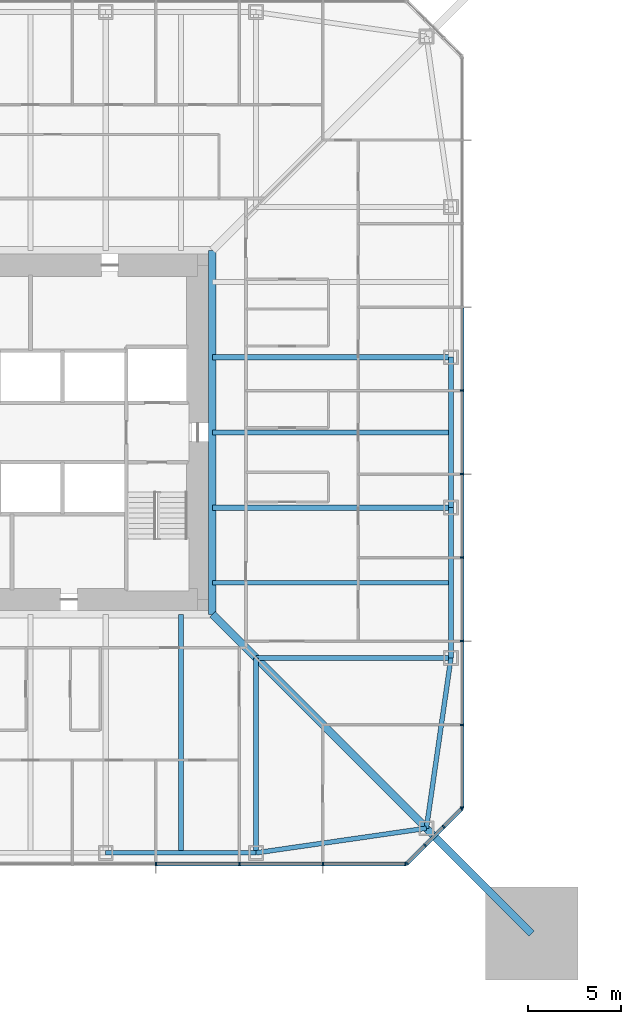
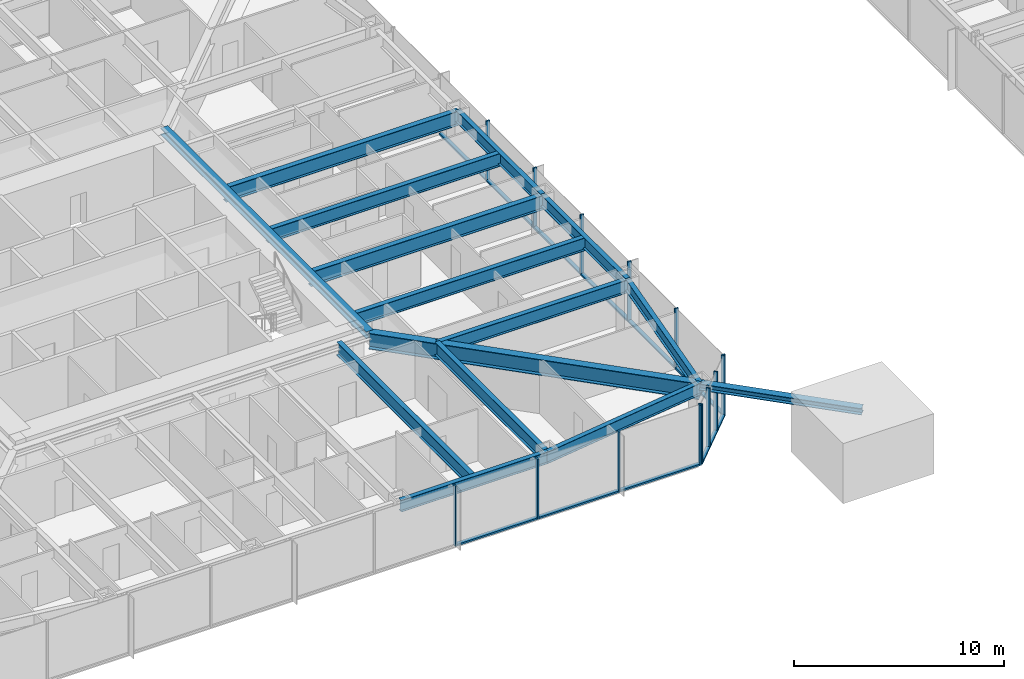
# One storey, part 5 of 26: 27 members, 14 beams, 3 elements without a shape of their own.
"""IFC4 building model written with IfcOpenShell, lengths in metres."""

import ifcopenshell
import ifcopenshell.guid

model = None  # the IFC model being written
_history = None  # IfcOwnerHistory: only IFC2X3 demands one
_inside = {}  # id of a spatial element -> (the spatial element, [elements in it])
_under = {}  # id of a project, library or spatial element -> (it, [spatial elements below it])
_declared = {}  # id of a project -> (the project, [libraries it declares])
_typed = {}  # id of a type object -> (the type object, [elements of that type])
_made_of = {}  # id of a material, layer set ... -> (it, [elements and type objects made of it])


def new_model(schema):
    """Start an empty IFC model of exactly this schema.

    Asked for "IFC4X3", IfcOpenShell would pick the latest addendum, in which some entities
    have other attributes; the version numbers below select the first issue.
    IFC2X3 requires an IfcOwnerHistory on every rooted entity: one is made here for all.
    """
    global model, _history
    if schema == "IFC4X3":
        model = ifcopenshell.file(schema_version=(4, 3, 0, 0))
    else:
        model = ifcopenshell.file(schema=schema)
    _inside.clear()
    _under.clear()
    _declared.clear()
    _typed.clear()
    _made_of.clear()
    _history = None
    if model.schema == "IFC2X3":
        org = make("IfcOrganization", Name="unknown")
        user = make(
            "IfcPersonAndOrganization",
            ThePerson=make("IfcPerson", FamilyName="unknown"),
            TheOrganization=org,
        )
        app = make(
            "IfcApplication",
            ApplicationDeveloper=org,
            Version="unknown",
            ApplicationFullName="unknown",
            ApplicationIdentifier="unknown",
        )
        _history = make(
            "IfcOwnerHistory",
            OwningUser=user,
            OwningApplication=app,
            ChangeAction="ADDED",
            CreationDate=0,
        )
    return model


def make(cls, **values):
    """One entity of the class cls with the attributes given. An attribute that is None is left unset."""
    return model.create_entity(
        cls, **{name: value for name, value in values.items() if value is not None}
    )


def rooted(cls, **values):
    """An entity with a GlobalId (a new one), such as an element, a storey or a relation."""
    return make(cls, GlobalId=ifcopenshell.guid.new(), OwnerHistory=_history, **values)


def si_unit(unit_type, name, prefix=None):
    """IfcSIUnit, for example si_unit("LENGTHUNIT", "METRE", prefix="MILLI")."""
    return make("IfcSIUnit", UnitType=unit_type, Prefix=prefix, Name=name)


def assignment(units):
    """IfcUnitAssignment: the units of a project."""
    return None if units is None else make("IfcUnitAssignment", Units=units)


def point(xyz):
    """IfcCartesianPoint."""
    return None if xyz is None else make("IfcCartesianPoint", Coordinates=xyz)


def direction(xyz):
    """IfcDirection."""
    return None if xyz is None else make("IfcDirection", DirectionRatios=xyz)


def frame(location, z_axis=None, x_axis=None):
    """IfcAxis2Placement3D, a coordinate frame: its origin and axes. An axis left out is left unset."""
    return make(
        "IfcAxis2Placement3D",
        Location=point(location),
        Axis=direction(z_axis),
        RefDirection=direction(x_axis),
    )


def frame_2d(location, x_axis=None):
    """IfcAxis2Placement2D, a coordinate frame in the plane: its origin and x axis."""
    return make(
        "IfcAxis2Placement2D", Location=point(location), RefDirection=direction(x_axis)
    )


def origin():
    """The frame at (0, 0, 0) with its axes left unset."""
    return frame((0.0, 0.0, 0.0))


def origin_2d():
    """The frame at (0, 0) in the plane with its x axis left unset."""
    return frame_2d((0.0, 0.0))


def place(relative_to, where):
    """IfcLocalPlacement: puts the frame where relative to a parent placement (None: the world)."""
    return make(
        "IfcLocalPlacement", PlacementRelTo=relative_to, RelativePlacement=where
    )


def context(
    kind, dimensions, precision=None, world=None, true_north=None, identifier=None
):
    """IfcGeometricRepresentationContext, for example the 3D "Model" context."""
    return make(
        "IfcGeometricRepresentationContext",
        ContextIdentifier=identifier,
        ContextType=kind,
        CoordinateSpaceDimension=dimensions,
        Precision=precision,
        WorldCoordinateSystem=world,
        TrueNorth=true_north,
    )


def subcontext(parent, identifier, kind, view, scale=None):
    """IfcGeometricRepresentationSubContext, for example "Body" below "Model"."""
    return make(
        "IfcGeometricRepresentationSubContext",
        ContextIdentifier=identifier,
        ContextType=kind,
        ParentContext=parent,
        TargetScale=scale,
        TargetView=view,
    )


def project(units=None, contexts=None):
    """IfcProject with its units and contexts."""
    return rooted(
        "IfcProject",
        Name="project",
        RepresentationContexts=contexts,
        UnitsInContext=assignment(units),
    )


def spatial(cls, under=None, at=None, **own):
    """A site, building, storey or space (cls), placed at a placement, below another one or the project."""
    s = rooted(cls, ObjectPlacement=at, **own)
    if under is not None:
        _under.setdefault(under.id(), (under, []))[1].append(s)
    return s


def profile(cls, at=None, kind="AREA", **sizes):
    """A parametric profile (cls). Its sizes go by their IFC names, for example OverallWidth=200.0."""
    return make(cls, ProfileType=kind, Position=at, **sizes)


def rectangle(**sizes):
    """IfcRectangleProfileDef."""
    return profile("IfcRectangleProfileDef", **sizes)


def i_section(**sizes):
    """IfcIShapeProfileDef."""
    return profile("IfcIShapeProfileDef", **sizes)


def extrude(swept, where, along, depth):
    """IfcExtrudedAreaSolid: the profile swept, set in the frame where, extruded along a direction by depth."""
    return make(
        "IfcExtrudedAreaSolid",
        SweptArea=swept,
        Position=where,
        ExtrudedDirection=direction(along),
        Depth=depth,
    )


def shape(context_of_items, identifier, shape_type, items):
    """IfcShapeRepresentation: the items that make up one representation, for example the "Body"."""
    return make(
        "IfcShapeRepresentation",
        ContextOfItems=context_of_items,
        RepresentationIdentifier=identifier,
        RepresentationType=shape_type,
        Items=items,
    )


def material(Name=None, Category=None):
    """IfcMaterial."""
    return make("IfcMaterial", Name=Name, Category=Category)


def material_profile(
    of_material, cross_section, Name=None, Category=None, Priority=None
):
    """IfcMaterialProfile: a cross section and its material."""
    return make(
        "IfcMaterialProfile",
        Name=Name,
        Material=of_material,
        Profile=cross_section,
        Priority=Priority,
        Category=Category,
    )


def profile_set(profiles, Name=None, composite=None):
    """IfcMaterialProfileSet."""
    return make(
        "IfcMaterialProfileSet",
        Name=Name,
        MaterialProfiles=profiles,
        CompositeProfile=composite,
    )


def made_of(thing, what):
    """Note that an element or type object is made of a material, layer set ...; save() writes the relation."""
    if what is not None:
        _made_of.setdefault(what.id(), (what, []))[1].append(thing)
    return thing


def type_object(cls, material=None, **own):
    """A type object (cls), such as IfcWallType, which elements share."""
    return made_of(rooted(cls, **own), material)


def element(
    cls,
    number,
    at=None,
    inside=None,
    cuts=None,
    type_object=None,
    material=None,
    context=None,
    identifier="Body",
    shape_type=None,
    held_by="IfcProductDefinitionShape",
    body=None,
    shapes=None,
    **own,
):
    """One element of the class cls, such as IfcWall. Its Tag is "e" and its number.

    at: its placement. inside: the storey or other place that contains it. cuts: it is an
    opening in that element (IfcRelVoidsElement). A single representation is given by context,
    identifier, shape_type and body (its items); several are given by shapes. held_by: the class
    of the entity that holds the representations. save() writes the other relations.
    """
    e = rooted(cls, Tag="e%d" % number, ObjectPlacement=at, **own)
    if body is not None:
        shapes = [shape(context, identifier, shape_type, body)]
    if shapes is not None:
        e.Representation = make(held_by, Representations=shapes)
    if inside is not None:
        _inside.setdefault(inside.id(), (inside, []))[1].append(e)
    if cuts is not None:
        rooted(
            "IfcRelVoidsElement", RelatingBuildingElement=cuts, RelatedOpeningElement=e
        )
    if type_object is not None:
        _typed.setdefault(type_object.id(), (type_object, []))[1].append(e)
    return made_of(e, material)


def aggregate(whole, parts):
    """IfcRelAggregates: a whole, such as a stair, and the parts it consists of."""
    return rooted("IfcRelAggregates", RelatingObject=whole, RelatedObjects=parts)


def save(model, path):
    """Write the relations noted so far, then the file.

    IfcRelAggregates (storeys below a building ...), IfcRelContainedInSpatialStructure (elements
    in a storey), IfcRelDefinesByType, IfcRelAssociatesMaterial and IfcRelDeclares: one each for
    every whole, place, type object, material and project.
    """
    for whole, parts in _under.values():
        aggregate(whole, parts)
    for where, things in _inside.values():
        rooted(
            "IfcRelContainedInSpatialStructure",
            RelatedElements=things,
            RelatingStructure=where,
        )
    for kind, things in _typed.values():
        rooted("IfcRelDefinesByType", RelatedObjects=things, RelatingType=kind)
    for what, things in _made_of.values():
        rooted("IfcRelAssociatesMaterial", RelatedObjects=things, RelatingMaterial=what)
    for by, libraries in _declared.values():
        rooted("IfcRelDeclares", RelatingContext=by, RelatedDefinitions=libraries)
    model.write(path)


model = new_model("IFC4")

# Units and contexts
model_context = context("Model", 3, precision=1e-05, world=origin(), true_north=direction((0.0, 1.0)))
body_context = subcontext(model_context, "Body", "Model", "MODEL_VIEW")
ifc_project = project(units=[si_unit("LENGTHUNIT", "METRE"), si_unit("AREAUNIT", "SQUARE_METRE"), si_unit("VOLUMEUNIT", "CUBIC_METRE"), si_unit("PLANEANGLEUNIT", "RADIAN"), si_unit("MASSUNIT", "GRAM", prefix="KILO")], contexts=[model_context])

# Site, building, storey
site_placement = place(None, origin())
site = spatial("IfcSite", under=ifc_project, at=site_placement, CompositionType="ELEMENT")
building_placement = place(site_placement, origin())
building = spatial("IfcBuilding", under=site, at=building_placement, Name="Iwan Alto Co-Living Towers", CompositionType="ELEMENT")
storey_placement = place(building_placement, frame((0.0, 0.0, 36.0)))
storey = spatial("IfcBuildingStorey", under=building, at=storey_placement, Name="L09", CompositionType="ELEMENT", Elevation=36.0)

# Curtain wall, members
ifc_material_1 = material(Name="Bronze aluminium unitised frame", Category="aluminium")
curtain_wall_type_1 = type_object("IfcCurtainWallType", Name="CURTAIN WALL CW-A", PredefinedType="NOTDEFINED", material=ifc_material_1)
curtain_wall_1_placement = place(storey_placement, origin())
curtain_wall_1 = element("IfcCurtainWall", 1, at=curtain_wall_1_placement, inside=storey, type_object=curtain_wall_type_1, Name="T1 curtain wall S L09", PredefinedType="NOTDEFINED")
ifc_material_2 = material(Name="Aluminium 6063-T6 bronze anodised", Category="aluminium")
ifc_material_profile_1 = material_profile(ifc_material_2, rectangle(XDim=0.199951171875, YDim=0.080078125, at=origin_2d()), Name="AL 80X200")
ifc_profile_set_1 = profile_set([ifc_material_profile_1], Name="Aluminium 6063-T6 bronze anodised")
member_type_1 = type_object("IfcMemberType", Name="CW-A MULLION 80X200", PredefinedType="MULLION", material=ifc_profile_set_1)
member_1_placement = place(storey_placement, frame((6.75, -23.25, 0.0), z_axis=(0.0, 0.0, 1.0), x_axis=(0.0, 1.0, 0.0)))
member_1 = element("IfcMember", 2, at=member_1_placement, type_object=member_type_1, Name="CW-A mullion 7", PredefinedType="MULLION", context=body_context, shape_type="SweptSolid", body=[
    extrude(rectangle(XDim=0.199951171875, YDim=0.080078125, at=origin_2d()), origin(), (0.0, 0.0, 1.0), 3.5),
])
member_2_placement = place(storey_placement, frame((11.25, -23.25, 0.0), z_axis=(0.0, 0.0, 1.0), x_axis=(0.0, 1.0, 0.0)))
member_2 = element("IfcMember", 3, at=member_2_placement, type_object=member_type_1, Name="CW-A mullion 8", PredefinedType="MULLION", context=body_context, shape_type="SweptSolid", body=[
    extrude(rectangle(XDim=0.199951171875, YDim=0.080078125, at=origin_2d()), origin(), (0.0, 0.0, 1.0), 3.5),
])
member_3_placement = place(storey_placement, frame((15.75, -23.25, 0.0), z_axis=(0.0, 0.0, 1.0), x_axis=(0.0, 1.0, 0.0)))
member_3 = element("IfcMember", 4, at=member_3_placement, type_object=member_type_1, Name="CW-A mullion 9", PredefinedType="MULLION", context=body_context, shape_type="SweptSolid", body=[
    extrude(rectangle(XDim=0.199951171875, YDim=0.080078125, at=origin_2d()), origin(), (0.0, 0.0, 1.0), 3.5),
])
member_4_placement = place(storey_placement, frame((20.2099609375, -23.25, 0.0), z_axis=(0.0, 0.0, 1.0), x_axis=(0.0, 1.0, 0.0)))
member_4 = element("IfcMember", 5, at=member_4_placement, type_object=member_type_1, Name="CW-A mullion 10", PredefinedType="MULLION", context=body_context, shape_type="SweptSolid", body=[
    extrude(rectangle(XDim=0.199951171875, YDim=0.080078125, at=origin_2d()), origin(), (0.0, 0.0, 1.0), 3.5),
])

curtain_wall_2_placement = place(storey_placement, origin())
curtain_wall_2 = element("IfcCurtainWall", 6, at=curtain_wall_2_placement, inside=storey, type_object=curtain_wall_type_1, Name="T1 curtain wall E L09", PredefinedType="NOTDEFINED")
member_5_placement = place(storey_placement, frame((23.25, -20.2099609375, 0.0), z_axis=(0.0, 0.0, 1.0), x_axis=(-1.0, 0.0, 0.0)))
member_5 = element("IfcMember", 7, at=member_5_placement, type_object=member_type_1, Name="CW-A mullion 1", PredefinedType="MULLION", context=body_context, shape_type="SweptSolid", body=[
    extrude(rectangle(XDim=0.199951171875, YDim=0.080078125, at=origin_2d()), origin(), (0.0, 0.0, 1.0), 3.5),
])
member_6_placement = place(storey_placement, frame((23.25, -15.75, 0.0), z_axis=(0.0, 0.0, 1.0), x_axis=(-1.0, 0.0, 0.0)))
member_6 = element("IfcMember", 8, at=member_6_placement, type_object=member_type_1, Name="CW-A mullion 2", PredefinedType="MULLION", context=body_context, shape_type="SweptSolid", body=[
    extrude(rectangle(XDim=0.199951171875, YDim=0.080078125, at=origin_2d()), origin(), (0.0, 0.0, 1.0), 3.5),
])
member_7_placement = place(storey_placement, frame((23.25, -11.25, 0.0), z_axis=(0.0, 0.0, 1.0), x_axis=(-1.0, 0.0, 0.0)))
member_7 = element("IfcMember", 9, at=member_7_placement, type_object=member_type_1, Name="CW-A mullion 3", PredefinedType="MULLION", context=body_context, shape_type="SweptSolid", body=[
    extrude(rectangle(XDim=0.199951171875, YDim=0.080078125, at=origin_2d()), origin(), (0.0, 0.0, 1.0), 3.5),
])
member_8_placement = place(storey_placement, frame((23.25, -6.75, 0.0), z_axis=(0.0, 0.0, 1.0), x_axis=(-1.0, 0.0, 0.0)))
member_8 = element("IfcMember", 10, at=member_8_placement, type_object=member_type_1, Name="CW-A mullion 4", PredefinedType="MULLION", context=body_context, shape_type="SweptSolid", body=[
    extrude(rectangle(XDim=0.199951171875, YDim=0.080078125, at=origin_2d()), origin(), (0.0, 0.0, 1.0), 3.5),
])
member_9_placement = place(storey_placement, frame((23.25, -2.25, 0.0), z_axis=(0.0, 0.0, 1.0), x_axis=(-1.0, 0.0, 0.0)))
member_9 = element("IfcMember", 11, at=member_9_placement, type_object=member_type_1, Name="CW-A mullion 5", PredefinedType="MULLION", context=body_context, shape_type="SweptSolid", body=[
    extrude(rectangle(XDim=0.199951171875, YDim=0.080078125, at=origin_2d()), origin(), (0.0, 0.0, 1.0), 3.5),
])
member_10_placement = place(storey_placement, frame((23.25, 2.25, 0.0), z_axis=(0.0, 0.0, 1.0), x_axis=(-1.0, 0.0, 0.0)))
member_10 = element("IfcMember", 12, at=member_10_placement, type_object=member_type_1, Name="CW-A mullion 6", PredefinedType="MULLION", context=body_context, shape_type="SweptSolid", body=[
    extrude(rectangle(XDim=0.199951171875, YDim=0.080078125, at=origin_2d()), origin(), (0.0, 0.0, 1.0), 3.5),
])

# Member
ifc_material_3 = material(Name="Aluminium 6063-T6 bronze anodised", Category="aluminium")
ifc_material_profile_2 = material_profile(ifc_material_3, rectangle(XDim=0.199951171875, YDim=0.10009765625, at=origin_2d()), Name="AL 200X100")
ifc_profile_set_2 = profile_set([ifc_material_profile_2], Name="Aluminium 6063-T6 bronze anodised")
member_type_2 = type_object("IfcMemberType", Name="CW-A TRANSOM 200X100", PredefinedType="USERDEFINED", material=ifc_profile_set_2)
member_11_placement = place(storey_placement, frame((6.7900390625, -23.25, 0.050048828125), z_axis=(1.0, 0.0, 0.0), x_axis=(0.0, 1.0, 0.0)))
member_11 = element("IfcMember", 13, at=member_11_placement, type_object=member_type_2, Name="CW-A transom 7.1", ObjectType="TRANSOM", PredefinedType="USERDEFINED", context=body_context, shape_type="SweptSolid", body=[
    extrude(rectangle(XDim=0.199951171875, YDim=0.10009765625, at=origin_2d()), origin(), (0.0, 0.0, 1.0), 4.419921875),
])

member_12_placement = place(storey_placement, frame((11.2900390625, -23.25, 0.050048828125), z_axis=(1.0, 0.0, 0.0), x_axis=(0.0, 1.0, 0.0)))
member_12 = element("IfcMember", 14, at=member_12_placement, type_object=member_type_2, Name="CW-A transom 8.1", ObjectType="TRANSOM", PredefinedType="USERDEFINED", context=body_context, shape_type="SweptSolid", body=[
    extrude(rectangle(XDim=0.199951171875, YDim=0.10009765625, at=origin_2d()), origin(), (0.0, 0.0, 1.0), 4.419921875),
])

member_13_placement = place(storey_placement, frame((15.7900390625, -23.25, 0.050048828125), z_axis=(1.0, 0.0, 0.0), x_axis=(0.0, 1.0, 0.0)))
member_13 = element("IfcMember", 15, at=member_13_placement, type_object=member_type_2, Name="CW-A transom 9.1", ObjectType="TRANSOM", PredefinedType="USERDEFINED", context=body_context, shape_type="SweptSolid", body=[
    extrude(rectangle(XDim=0.199951171875, YDim=0.10009765625, at=origin_2d()), origin(), (0.0, 0.0, 1.0), 4.3798828125),
])

aggregate(curtain_wall_1, [member_1, member_2, member_3, member_4, member_11, member_12, member_13])

member_14_placement = place(storey_placement, frame((23.25, -20.169921875, 0.050048828125), z_axis=(0.0, 1.0, 0.0), x_axis=(-1.0, 0.0, 0.0)))
member_14 = element("IfcMember", 16, at=member_14_placement, type_object=member_type_2, Name="CW-A transom 1.1", ObjectType="TRANSOM", PredefinedType="USERDEFINED", context=body_context, shape_type="SweptSolid", body=[
    extrude(rectangle(XDim=0.199951171875, YDim=0.10009765625, at=origin_2d()), origin(), (0.0, 0.0, 1.0), 4.3798828125),
])

member_15_placement = place(storey_placement, frame((23.25, -15.7099609375, 0.050048828125), z_axis=(0.0, 1.0, 0.0), x_axis=(-1.0, 0.0, 0.0)))
member_15 = element("IfcMember", 17, at=member_15_placement, type_object=member_type_2, Name="CW-A transom 2.1", ObjectType="TRANSOM", PredefinedType="USERDEFINED", context=body_context, shape_type="SweptSolid", body=[
    extrude(rectangle(XDim=0.199951171875, YDim=0.10009765625, at=origin_2d()), origin(), (0.0, 0.0, 1.0), 4.419921875),
])

member_16_placement = place(storey_placement, frame((23.25, -11.2099609375, 0.050048828125), z_axis=(0.0, 1.0, 0.0), x_axis=(-1.0, 0.0, 0.0)))
member_16 = element("IfcMember", 18, at=member_16_placement, type_object=member_type_2, Name="CW-A transom 3.1", ObjectType="TRANSOM", PredefinedType="USERDEFINED", context=body_context, shape_type="SweptSolid", body=[
    extrude(rectangle(XDim=0.199951171875, YDim=0.10009765625, at=origin_2d()), origin(), (0.0, 0.0, 1.0), 4.419921875),
])

member_17_placement = place(storey_placement, frame((23.25, -6.7099609375, 0.050048828125), z_axis=(0.0, 1.0, 0.0), x_axis=(-1.0, 0.0, 0.0)))
member_17 = element("IfcMember", 19, at=member_17_placement, type_object=member_type_2, Name="CW-A transom 4.1", ObjectType="TRANSOM", PredefinedType="USERDEFINED", context=body_context, shape_type="SweptSolid", body=[
    extrude(rectangle(XDim=0.199951171875, YDim=0.10009765625, at=origin_2d()), origin(), (0.0, 0.0, 1.0), 4.419921875),
])

member_18_placement = place(storey_placement, frame((23.25, -2.2099609375, 0.050048828125), z_axis=(0.0, 1.0, 0.0), x_axis=(-1.0, 0.0, 0.0)))
member_18 = element("IfcMember", 20, at=member_18_placement, type_object=member_type_2, Name="CW-A transom 5.1", ObjectType="TRANSOM", PredefinedType="USERDEFINED", context=body_context, shape_type="SweptSolid", body=[
    extrude(rectangle(XDim=0.199951171875, YDim=0.10009765625, at=origin_2d()), origin(), (0.0, 0.0, 1.0), 4.419921875),
])

member_19_placement = place(storey_placement, frame((23.25, 2.2900390625, 0.050048828125), z_axis=(0.0, 1.0, 0.0), x_axis=(-1.0, 0.0, 0.0)))
member_19 = element("IfcMember", 21, at=member_19_placement, type_object=member_type_2, Name="CW-A transom 6.1", ObjectType="TRANSOM", PredefinedType="USERDEFINED", context=body_context, shape_type="SweptSolid", body=[
    extrude(rectangle(XDim=0.199951171875, YDim=0.10009765625, at=origin_2d()), origin(), (0.0, 0.0, 1.0), 4.419921875),
])

aggregate(curtain_wall_2, [member_5, member_6, member_7, member_8, member_9, member_10, member_14, member_15, member_16, member_17, member_18, member_19])

# Curtain wall, members
ifc_material_4 = material(Name="Bronze aluminium unitised frame", Category="aluminium")
curtain_wall_type_2 = type_object("IfcCurtainWallType", Name="CURTAIN WALL CW-B", PredefinedType="NOTDEFINED", material=ifc_material_4)
curtain_wall_3_placement = place(storey_placement, origin())
curtain_wall_3 = element("IfcCurtainWall", 22, at=curtain_wall_3_placement, inside=storey, type_object=curtain_wall_type_2, Name="T1 chamfer curtain wall SE L09", PredefinedType="NOTDEFINED")
ifc_material_5 = material(Name="Aluminium 6063-T6 bronze anodised", Category="aluminium")
ifc_material_profile_3 = material_profile(ifc_material_5, rectangle(XDim=0.199951171875, YDim=0.080078125, at=origin_2d()), Name="AL 80X200")
ifc_profile_set_3 = profile_set([ifc_material_profile_3], Name="Aluminium 6063-T6 bronze anodised")
member_type_3 = type_object("IfcMemberType", Name="CW-B MULLION 80X200", PredefinedType="MULLION", material=ifc_profile_set_3)
member_20_placement = place(storey_placement, frame((20.2783203125, -23.2216796875, 0.0), z_axis=(0.0, 0.0, 1.0), x_axis=(-0.707106781187, 0.707106781187, 0.0)))
member_20 = element("IfcMember", 23, at=member_20_placement, type_object=member_type_3, Name="CW-B mullion 1", PredefinedType="MULLION", context=body_context, shape_type="SweptSolid", body=[
    extrude(rectangle(XDim=0.199951171875, YDim=0.080078125, at=origin_2d()), origin(), (0.0, 0.0, 1.0), 3.5),
])
member_21_placement = place(storey_placement, frame((21.25, -22.25, 0.0), z_axis=(0.0, 0.0, 1.0), x_axis=(-0.707106781187, 0.707106781187, 0.0)))
member_21 = element("IfcMember", 24, at=member_21_placement, type_object=member_type_3, Name="CW-B mullion 2", PredefinedType="MULLION", context=body_context, shape_type="SweptSolid", body=[
    extrude(rectangle(XDim=0.199951171875, YDim=0.080078125, at=origin_2d()), origin(), (0.0, 0.0, 1.0), 3.5),
])
member_22_placement = place(storey_placement, frame((22.25, -21.25, 0.0), z_axis=(0.0, 0.0, 1.0), x_axis=(-0.707106781187, 0.707106781187, 0.0)))
member_22 = element("IfcMember", 25, at=member_22_placement, type_object=member_type_3, Name="CW-B mullion 3", PredefinedType="MULLION", context=body_context, shape_type="SweptSolid", body=[
    extrude(rectangle(XDim=0.199951171875, YDim=0.080078125, at=origin_2d()), origin(), (0.0, 0.0, 1.0), 3.5),
])
member_23_placement = place(storey_placement, frame((23.2216796875, -20.2783203125, 0.0), z_axis=(0.0, 0.0, 1.0), x_axis=(-0.707106781187, 0.707106781187, 0.0)))
member_23 = element("IfcMember", 26, at=member_23_placement, type_object=member_type_3, Name="CW-B mullion 4", PredefinedType="MULLION", context=body_context, shape_type="SweptSolid", body=[
    extrude(rectangle(XDim=0.199951171875, YDim=0.080078125, at=origin_2d()), origin(), (0.0, 0.0, 1.0), 3.5),
])
ifc_material_6 = material(Name="Aluminium 6063-T6 bronze anodised", Category="aluminium")
ifc_material_profile_4 = material_profile(ifc_material_6, rectangle(XDim=0.199951171875, YDim=0.10009765625, at=origin_2d()), Name="AL 200X100")
ifc_profile_set_4 = profile_set([ifc_material_profile_4], Name="Aluminium 6063-T6 bronze anodised")
member_type_4 = type_object("IfcMemberType", Name="CW-B TRANSOM 200X100", PredefinedType="USERDEFINED", material=ifc_profile_set_4)
member_24_placement = place(storey_placement, frame((20.306640625, -23.193359375, 0.050048828125), z_axis=(0.707106781187, 0.707106781187, 0.0), x_axis=(-0.707106781187, 0.707106781187, 0.0)))
member_24 = element("IfcMember", 27, at=member_24_placement, type_object=member_type_4, Name="CW-B transom 1.1", ObjectType="TRANSOM", PredefinedType="USERDEFINED", context=body_context, shape_type="SweptSolid", body=[
    extrude(rectangle(XDim=0.199951171875, YDim=0.10009765625, at=origin_2d()), origin(), (0.0, 0.0, 1.0), 1.2939453125),
])
member_25_placement = place(storey_placement, frame((21.2783203125, -22.2216796875, 0.050048828125), z_axis=(0.707106781187, 0.707106781187, 0.0), x_axis=(-0.707106781187, 0.707106781187, 0.0)))
member_25 = element("IfcMember", 28, at=member_25_placement, type_object=member_type_4, Name="CW-B transom 2.1", ObjectType="TRANSOM", PredefinedType="USERDEFINED", context=body_context, shape_type="SweptSolid", body=[
    extrude(rectangle(XDim=0.199951171875, YDim=0.10009765625, at=origin_2d()), origin(), (0.0, 0.0, 1.0), 1.334228515625),
])
member_26_placement = place(storey_placement, frame((22.2783203125, -21.2216796875, 0.050048828125), z_axis=(0.707106781187, 0.707106781187, 0.0), x_axis=(-0.707106781187, 0.707106781187, 0.0)))
member_26 = element("IfcMember", 29, at=member_26_placement, type_object=member_type_4, Name="CW-B transom 3.1", ObjectType="TRANSOM", PredefinedType="USERDEFINED", context=body_context, shape_type="SweptSolid", body=[
    extrude(rectangle(XDim=0.199951171875, YDim=0.10009765625, at=origin_2d()), origin(), (0.0, 0.0, 1.0), 1.2939453125),
])
aggregate(curtain_wall_3, [member_20, member_21, member_22, member_23, member_24, member_25, member_26])

# Beams
ifc_material_7 = material(Name="Steel ASTM A992 Gr 50", Category="steel")
ifc_material_profile_5 = material_profile(ifc_material_7, i_section(OverallWidth=0.40380859375, OverallDepth=0.406494140625, WebThickness=0.027099609375, FlangeThickness=0.043701171875, at=origin_2d()), Name="W14X233")
ifc_profile_set_5 = profile_set([ifc_material_profile_5], Name="Steel ASTM A992 Gr 50")
beam_type_1 = type_object("IfcBeamType", Name="T1 CORE LEDGER BEAM W14X233", PredefinedType="BEAM", material=ifc_profile_set_5)
beam_1_placement = place(storey_placement, frame((9.802001953125, -9.802001953125, 3.06689453125), z_axis=(0.0, 1.0, 0.0), x_axis=(-1.0, 0.0, 0.0)))
element("IfcBeam", 30, at=beam_1_placement, inside=storey, type_object=beam_type_1, Name="T1 core ledger beam E L10", PredefinedType="BEAM", context=body_context, shape_type="SweptSolid", body=[
    extrude(i_section(OverallWidth=0.40380859375, OverallDepth=0.406494140625, WebThickness=0.027099609375, FlangeThickness=0.043701171875, at=origin_2d()), origin(), (0.0, 0.0, 1.0), 19.60400390625),
])
ifc_material_8 = material(Name="Steel ASTM A992 Gr 50", Category="steel")
ifc_material_profile_6 = material_profile(ifc_material_8, i_section(OverallWidth=0.419189453125, OverallDepth=0.927001953125, WebThickness=0.019287109375, FlangeThickness=0.031982421875, at=origin_2d()), Name="W36X231")
ifc_profile_set_6 = profile_set([ifc_material_profile_6], Name="Steel ASTM A992 Gr 50")
beam_type_2 = type_object("IfcBeamType", Name="T1 CORNER GIRDER W36X231", PredefinedType="BEAM", material=ifc_profile_set_6)
beam_2_placement = place(storey_placement, frame((21.32568359375, -21.32568359375, 2.806396484375), z_axis=(-0.707106781187, 0.707106781187, 0.0), x_axis=(-0.707106781187, -0.707106781187, 0.0)))
element("IfcBeam", 31, at=beam_2_placement, inside=storey, type_object=beam_type_2, Name="T1 corner girder CSE L10", PredefinedType="BEAM", context=body_context, shape_type="SweptSolid", body=[
    extrude(i_section(OverallWidth=0.419189453125, OverallDepth=0.927001953125, WebThickness=0.019287109375, FlangeThickness=0.031982421875, at=origin_2d()), origin(), (0.0, 0.0, 1.0), 16.296875),
])
ifc_material_9 = material(Name="Steel ASTM A992 Gr 50", Category="steel")
ifc_material_profile_7 = material_profile(ifc_material_9, i_section(OverallWidth=0.25390625, OverallDepth=0.683349609375, WebThickness=0.012451171875, FlangeThickness=0.018798828125, at=origin_2d()), Name="W27X94")
ifc_profile_set_7 = profile_set([ifc_material_profile_7], Name="Steel ASTM A992 Gr 50")
beam_type_3 = type_object("IfcBeamType", Name="T1 EDGE BEAM W27X94", PredefinedType="BEAM", material=ifc_profile_set_7)
beam_3_placement = place(storey_placement, frame((4.050048828125, -22.64990234375, 2.928466796875), z_axis=(1.0, 0.0, 0.0), x_axis=(0.0, 1.0, 0.0)))
element("IfcBeam", 32, at=beam_3_placement, inside=storey, type_object=beam_type_3, Name="T1 edge beam S3 L10", PredefinedType="BEAM", context=body_context, shape_type="SweptSolid", body=[
    extrude(i_section(OverallWidth=0.25390625, OverallDepth=0.683349609375, WebThickness=0.012451171875, FlangeThickness=0.018798828125, at=origin_2d()), origin(), (0.0, 0.0, 1.0), 8.099853515625),
])
for number, where, z_axis, x_axis, name in (
    (33, (12.14990234375, -22.64990234375, 2.928466796875), (0.989746234347, 0.142836940589, 0.0), (-0.142836940589, 0.989746234347, 0.0), "T1 edge beam S4 L10"),
    (34, (21.32568359375, -21.32568359375, 2.928466796875), (0.142836940589, 0.989746234347, 0.0), (-0.989746234347, 0.142836940589, 0.0), "T1 edge beam CSE L10"),
):
    element("IfcBeam", number, at=place(storey_placement, frame(where, z_axis=z_axis, x_axis=x_axis)), inside=storey, type_object=beam_type_3, Name=name, PredefinedType="BEAM", context=body_context, shape_type="SweptSolid", body=[
        extrude(i_section(OverallWidth=0.25390625, OverallDepth=0.683349609375, WebThickness=0.012451171875, FlangeThickness=0.018798828125, at=origin_2d()), origin(), (0.0, 0.0, 1.0), 9.270751953125),
    ])
beam_4_placement = place(storey_placement, frame((22.64990234375, -12.14990234375, 2.928466796875), z_axis=(0.0, 1.0, 0.0), x_axis=(-1.0, 0.0, 0.0)))
element("IfcBeam", 35, at=beam_4_placement, inside=storey, type_object=beam_type_3, Name="T1 edge beam E1 L10", PredefinedType="BEAM", context=body_context, shape_type="SweptSolid", body=[
    extrude(i_section(OverallWidth=0.25390625, OverallDepth=0.683349609375, WebThickness=0.012451171875, FlangeThickness=0.018798828125, at=origin_2d()), origin(), (0.0, 0.0, 1.0), 8.099853515625),
])
beam_5_placement = place(storey_placement, frame((22.64990234375, -4.050048828125, 2.928466796875), z_axis=(0.0, 1.0, 0.0), x_axis=(-1.0, 0.0, 0.0)))
element("IfcBeam", 36, at=beam_5_placement, inside=storey, type_object=beam_type_3, Name="T1 edge beam E2 L10", PredefinedType="BEAM", context=body_context, shape_type="SweptSolid", body=[
    extrude(i_section(OverallWidth=0.25390625, OverallDepth=0.683349609375, WebThickness=0.012451171875, FlangeThickness=0.018798828125, at=origin_2d()), origin(), (0.0, 0.0, 1.0), 8.10009765625),
])

# Member
ifc_material_10 = material(Name="Steel ASTM A992 Gr 50", Category="steel")
ifc_material_profile_8 = material_profile(ifc_material_10, i_section(OverallWidth=0.393798828125, OverallDepth=0.3759765625, WebThickness=0.017333984375, FlangeThickness=0.027587890625, at=origin_2d()), Name="W14X145")
ifc_profile_set_8 = profile_set([ifc_material_profile_8], Name="Steel ASTM A992 Gr 50")
member_type_5 = type_object("IfcMemberType", Name="T1 MEGA COLUMN FLOOR TIE W14X145", PredefinedType="STRUT", material=ifc_profile_set_8)
member_27_placement = place(storey_placement, frame((27.0, -27.0, 3.08203125), z_axis=(-0.707106781187, 0.707106781187, 0.0), x_axis=(-0.707106781187, -0.707106781187, 0.0)))
element("IfcMember", 37, at=member_27_placement, inside=storey, type_object=member_type_5, Name="T1 mega column floor tie SE L10", PredefinedType="STRUT", context=body_context, shape_type="SweptSolid", body=[
    extrude(i_section(OverallWidth=0.393798828125, OverallDepth=0.3759765625, WebThickness=0.017333984375, FlangeThickness=0.027587890625, at=origin_2d()), origin(), (0.0, 0.0, 1.0), 8.024658203125),
])

# Beams
ifc_material_11 = material(Name="Steel ASTM A992 Gr 50", Category="steel")
ifc_material_profile_9 = material_profile(ifc_material_11, i_section(OverallWidth=0.2666015625, OverallDepth=0.761962890625, WebThickness=0.014404296875, FlangeThickness=0.021484375, at=origin_2d()), Name="W30X116")
ifc_profile_set_9 = profile_set([ifc_material_profile_9], Name="Steel ASTM A992 Gr 50")
beam_type_4 = type_object("IfcBeamType", Name="T1 RADIAL BEAM W30X116", PredefinedType="BEAM", material=ifc_profile_set_9)
for number, where, z_axis, x_axis, name in (
    (38, (12.14990234375, -22.64990234375, 2.888916015625), (0.0, 1.0, 0.0), (-1.0, 0.0, 0.0), "T1 radial beam S4 L10"),
    (39, (22.64990234375, -12.14990234375, 2.888916015625), (-1.0, 0.0, 0.0), (0.0, -1.0, 0.0), "T1 radial beam E1 L10"),
):
    element("IfcBeam", number, at=place(storey_placement, frame(where, z_axis=z_axis, x_axis=x_axis)), inside=storey, type_object=beam_type_4, Name=name, PredefinedType="BEAM", context=body_context, shape_type="SweptSolid", body=[
        extrude(i_section(OverallWidth=0.2666015625, OverallDepth=0.761962890625, WebThickness=0.014404296875, FlangeThickness=0.021484375, at=origin_2d()), origin(), (0.0, 0.0, 1.0), 10.5),
    ])
ifc_material_12 = material(Name="Steel ASTM A992 Gr 50", Category="steel")
ifc_material_profile_10 = material_profile(ifc_material_12, i_section(OverallWidth=0.2919921875, OverallDepth=0.8408203125, WebThickness=0.0146484375, FlangeThickness=0.021728515625, at=origin_2d()), Name="W33X130")
ifc_profile_set_10 = profile_set([ifc_material_profile_10], Name="Steel ASTM A992 Gr 50")
beam_type_5 = type_object("IfcBeamType", Name="T1 RADIAL BEAM W33X130", PredefinedType="BEAM", material=ifc_profile_set_10)
for number, where, z_axis, x_axis, name in (
    (40, (22.64990234375, -4.050048828125, 2.849609375), (-1.0, 0.0, 0.0), (0.0, -1.0, 0.0), "T1 radial beam E2 L10"),
    (41, (22.64990234375, 4.050048828125, 2.849609375), (-1.0, 0.0, 0.0), (0.0, -1.0, 0.0), "T1 radial beam E3 L10"),
):
    element("IfcBeam", number, at=place(storey_placement, frame(where, z_axis=z_axis, x_axis=x_axis)), inside=storey, type_object=beam_type_5, Name=name, PredefinedType="BEAM", context=body_context, shape_type="SweptSolid", body=[
        extrude(i_section(OverallWidth=0.2919921875, OverallDepth=0.8408203125, WebThickness=0.0146484375, FlangeThickness=0.021728515625, at=origin_2d()), origin(), (0.0, 0.0, 1.0), 12.847900390625),
    ])
ifc_material_13 = material(Name="Steel ASTM A992 Gr 50", Category="steel")
ifc_material_profile_11 = material_profile(ifc_material_13, i_section(OverallWidth=0.2666015625, OverallDepth=0.761962890625, WebThickness=0.014404296875, FlangeThickness=0.021484375, at=origin_2d()), Name="W30X116")
ifc_profile_set_11 = profile_set([ifc_material_profile_11], Name="Steel ASTM A992 Gr 50")
beam_type_6 = type_object("IfcBeamType", Name="T1 SECONDARY BEAM W30X116", PredefinedType="JOIST", material=ifc_profile_set_11)
for number, where, z_axis, x_axis, name in (
    (42, (8.10009765625, -22.64990234375, 2.888916015625), (0.0, 1.0, 0.0), (-1.0, 0.0, 0.0), "T1 secondary beam S3 L10"),
    (43, (22.64990234375, -8.10009765625, 2.888916015625), (-1.0, 0.0, 0.0), (0.0, -1.0, 0.0), "T1 secondary beam E1 L10"),
    (44, (22.64990234375, 0.0, 2.888916015625), (-1.0, 0.0, 0.0), (0.0, -1.0, 0.0), "T1 secondary beam E2 L10"),
):
    element("IfcBeam", number, at=place(storey_placement, frame(where, z_axis=z_axis, x_axis=x_axis)), inside=storey, type_object=beam_type_6, Name=name, PredefinedType="JOIST", context=body_context, shape_type="SweptSolid", body=[
        extrude(i_section(OverallWidth=0.2666015625, OverallDepth=0.761962890625, WebThickness=0.014404296875, FlangeThickness=0.021484375, at=origin_2d()), origin(), (0.0, 0.0, 1.0), 12.847900390625),
    ])

save(model, "model.ifc")
